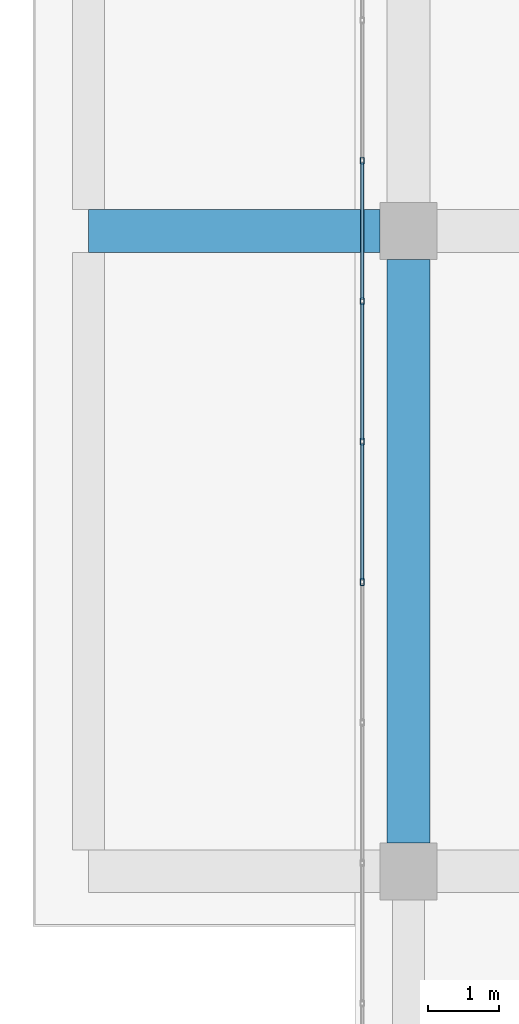
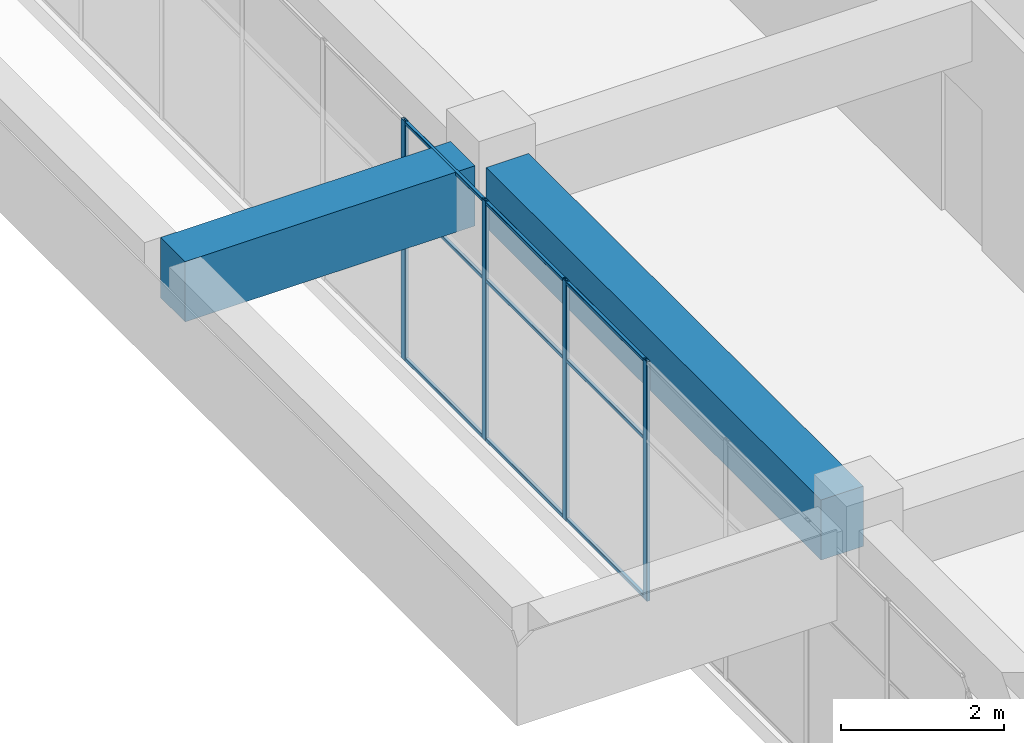
# One storey, part 18 of 52: 13 members, 2 beams, 1 element without a shape of its own.
"""IFC4 building model written with IfcOpenShell, lengths in metres."""

from ifc_helpers import new_model, si_unit, direction, frame, origin, origin_2d, place, context, subcontext, project, spatial, rectangle, hollow_rectangle, extrude, material, layer, layer_set, material_profile, profile_set, type_object, element, aggregate, save


model = new_model("IFC4")

# Units and contexts
model_context = context("Model", 3, precision=1e-05, world=origin(), true_north=direction((0.0, 1.0)))
body_context = subcontext(model_context, "Body", "Model", "MODEL_VIEW")
ifc_project = project(units=[si_unit("LENGTHUNIT", "METRE"), si_unit("AREAUNIT", "SQUARE_METRE"), si_unit("VOLUMEUNIT", "CUBIC_METRE"), si_unit("PLANEANGLEUNIT", "RADIAN"), si_unit("MASSUNIT", "GRAM", prefix="KILO")], contexts=[model_context])

# Site, building, storey
site_placement = place(None, origin())
site = spatial("IfcSite", under=ifc_project, at=site_placement, CompositionType="ELEMENT")
building_placement = place(site_placement, origin())
building = spatial("IfcBuilding", under=site, at=building_placement, Name="Tuart Plaza Theatre", CompositionType="ELEMENT")
storey_placement = place(building_placement, frame((0.0, 0.0, 25.5)))
storey = spatial("IfcBuildingStorey", under=building, at=storey_placement, Name="L06", CompositionType="ELEMENT", Elevation=25.5)

# Beams
ifc_material_1 = material(Name="Concrete N40 (40 MPa)", Category="concrete")
ifc_material_profile_1 = material_profile(ifc_material_1, rectangle(XDim=0.60009765625, YDim=0.89990234375, at=origin_2d()), Name="BEAM 600x900 Concrete N40 (40 MPa)")
ifc_profile_set_1 = profile_set([ifc_material_profile_1], Name="Concrete N40 (40 MPa)")
beam_type = type_object("IfcBeamType", Name="BEAM 600x900 Concrete N40 (40 MPa)", PredefinedType="BEAM", material=ifc_profile_set_1)
beam_1_placement = place(storey_placement, frame((109.5, 74.0, 3.1298828125), z_axis=(1.0, 0.0, 0.0), x_axis=(0.0, 1.0, 0.0)))
element("IfcBeam", 1, at=beam_1_placement, inside=storey, type_object=beam_type, Name="RB244", PredefinedType="BEAM", context=body_context, shape_type="SweptSolid", body=[
    extrude(rectangle(XDim=0.60009765625, YDim=0.89990234375, at=origin_2d()), origin(), (0.0, 0.0, 1.0), 4.10009765625),
])
beam_2_placement = place(storey_placement, frame((114.0, 65.39990234375, 3.1298828125), z_axis=(0.0, 1.0, 0.0), x_axis=(-1.0, 0.0, 0.0)))
element("IfcBeam", 2, at=beam_2_placement, inside=storey, type_object=beam_type, Name="RB209", PredefinedType="BEAM", context=body_context, shape_type="SweptSolid", body=[
    extrude(rectangle(XDim=0.60009765625, YDim=0.89990234375, at=origin_2d()), origin(), (0.0, 0.0, 1.0), 8.2001953125),
])

# Curtain wall, members
ifc_material_2 = material(Name="Aluminium and glass", Category="aluminium")
ifc_layer = layer(ifc_material_2, 0.10009765625)
ifc_layer_set = layer_set([ifc_layer], Name="CURTAIN WALL 2000 module")
curtain_wall_type = type_object("IfcCurtainWallType", Name="CURTAIN WALL 2000 module", PredefinedType="NOTDEFINED", material=ifc_layer_set)
curtain_wall_placement = place(storey_placement, origin())
curtain_wall = element("IfcCurtainWall", 3, at=curtain_wall_placement, inside=storey, type_object=curtain_wall_type, Name="CW86", PredefinedType="NOTDEFINED")
ifc_material_3 = material(Name="Aluminium 6063-T5", Category="aluminium")
ifc_material_profile_2 = material_profile(ifc_material_3, hollow_rectangle(XDim=0.050048828125, YDim=0.10009765625, WallThickness=0.00390625, InnerFilletRadius=0.00390625, OuterFilletRadius=0.008056640625, at=origin_2d()), Name="RHS 100x50x4")
ifc_profile_set_2 = profile_set([ifc_material_profile_2], Name="Aluminium 6063-T5")
member_type_1 = type_object("IfcMemberType", Name="MULLION RHS 100x50x4", PredefinedType="MULLION", material=ifc_profile_set_2)
member_1_placement = place(storey_placement, frame((113.35009765625, 74.98681640625, 0.0), z_axis=(0.0, 0.0, 1.0), x_axis=(1.0, 0.0, 0.0)))
member_1 = element("IfcMember", 4, at=member_1_placement, type_object=member_type_1, Name="CW86 mullion 10", PredefinedType="MULLION", context=body_context, shape_type="SweptSolid", body=[
    extrude(hollow_rectangle(XDim=0.050048828125, YDim=0.10009765625, WallThickness=0.00390625, InnerFilletRadius=0.00390625, OuterFilletRadius=0.008056640625, at=origin_2d()), origin(), (0.0, 0.0, 1.0), 3.580078125),
])
member_2_placement = place(storey_placement, frame((113.35009765625, 73.01318359375, 0.0), z_axis=(0.0, 0.0, 1.0), x_axis=(1.0, 0.0, 0.0)))
member_2 = element("IfcMember", 5, at=member_2_placement, type_object=member_type_1, Name="CW86 mullion 11", PredefinedType="MULLION", context=body_context, shape_type="SweptSolid", body=[
    extrude(hollow_rectangle(XDim=0.050048828125, YDim=0.10009765625, WallThickness=0.00390625, InnerFilletRadius=0.00390625, OuterFilletRadius=0.008056640625, at=origin_2d()), origin(), (0.0, 0.0, 1.0), 3.580078125),
])
member_3_placement = place(storey_placement, frame((113.35009765625, 71.03955078125, 0.0), z_axis=(0.0, 0.0, 1.0), x_axis=(1.0, 0.0, 0.0)))
member_3 = element("IfcMember", 6, at=member_3_placement, type_object=member_type_1, Name="CW86 mullion 12", PredefinedType="MULLION", context=body_context, shape_type="SweptSolid", body=[
    extrude(hollow_rectangle(XDim=0.050048828125, YDim=0.10009765625, WallThickness=0.00390625, InnerFilletRadius=0.00390625, OuterFilletRadius=0.008056640625, at=origin_2d()), origin(), (0.0, 0.0, 1.0), 3.580078125),
])
member_4_placement = place(storey_placement, frame((113.35009765625, 69.065673828125, 0.0), z_axis=(0.0, 0.0, 1.0), x_axis=(1.0, 0.0, 0.0)))
member_4 = element("IfcMember", 7, at=member_4_placement, type_object=member_type_1, Name="CW86 mullion 13", PredefinedType="MULLION", context=body_context, shape_type="SweptSolid", body=[
    extrude(hollow_rectangle(XDim=0.050048828125, YDim=0.10009765625, WallThickness=0.00390625, InnerFilletRadius=0.00390625, OuterFilletRadius=0.008056640625, at=origin_2d()), origin(), (0.0, 0.0, 1.0), 3.580078125),
])
ifc_material_4 = material(Name="Aluminium 6063-T5", Category="aluminium")
ifc_material_profile_3 = material_profile(ifc_material_4, hollow_rectangle(XDim=0.050048828125, YDim=0.050048828125, WallThickness=0.00390625, InnerFilletRadius=0.00390625, OuterFilletRadius=0.008056640625, at=origin_2d()), Name="RHS 50x50x4")
ifc_profile_set_3 = profile_set([ifc_material_profile_3], Name="Aluminium 6063-T5")
member_type_2 = type_object("IfcMemberType", Name="TRANSOM RHS 50x50x4", PredefinedType="USERDEFINED", material=ifc_profile_set_3)
member_5_placement = place(storey_placement, frame((113.35009765625, 74.9619140625, 0.02490234375), z_axis=(0.0, -1.0, 0.0), x_axis=(1.0, 0.0, 0.0)))
member_5 = element("IfcMember", 8, at=member_5_placement, type_object=member_type_2, Name="CW86 transom 10.1", ObjectType="TRANSOM", PredefinedType="USERDEFINED", context=body_context, shape_type="SweptSolid", body=[
    extrude(hollow_rectangle(XDim=0.050048828125, YDim=0.050048828125, WallThickness=0.00390625, InnerFilletRadius=0.00390625, OuterFilletRadius=0.008056640625, at=origin_2d()), origin(), (0.0, 0.0, 1.0), 1.923828125),
])
member_6_placement = place(storey_placement, frame((113.35009765625, 74.9619140625, 2.39990234375), z_axis=(0.0, -1.0, 0.0), x_axis=(1.0, 0.0, 0.0)))
member_6 = element("IfcMember", 9, at=member_6_placement, type_object=member_type_2, Name="CW86 transom 10.2", ObjectType="TRANSOM", PredefinedType="USERDEFINED", context=body_context, shape_type="SweptSolid", body=[
    extrude(hollow_rectangle(XDim=0.050048828125, YDim=0.050048828125, WallThickness=0.00390625, InnerFilletRadius=0.00390625, OuterFilletRadius=0.008056640625, at=origin_2d()), origin(), (0.0, 0.0, 1.0), 1.923828125),
])
member_7_placement = place(storey_placement, frame((113.35009765625, 74.9619140625, 3.554931640625), z_axis=(0.0, -1.0, 0.0), x_axis=(1.0, 0.0, 0.0)))
member_7 = element("IfcMember", 10, at=member_7_placement, type_object=member_type_2, Name="CW86 transom 10.3", ObjectType="TRANSOM", PredefinedType="USERDEFINED", context=body_context, shape_type="SweptSolid", body=[
    extrude(hollow_rectangle(XDim=0.050048828125, YDim=0.050048828125, WallThickness=0.00390625, InnerFilletRadius=0.00390625, OuterFilletRadius=0.008056640625, at=origin_2d()), origin(), (0.0, 0.0, 1.0), 1.923828125),
])
member_8_placement = place(storey_placement, frame((113.35009765625, 72.988037109375, 0.02490234375), z_axis=(0.0, -1.0, 0.0), x_axis=(1.0, 0.0, 0.0)))
member_8 = element("IfcMember", 11, at=member_8_placement, type_object=member_type_2, Name="CW86 transom 11.1", ObjectType="TRANSOM", PredefinedType="USERDEFINED", context=body_context, shape_type="SweptSolid", body=[
    extrude(hollow_rectangle(XDim=0.050048828125, YDim=0.050048828125, WallThickness=0.00390625, InnerFilletRadius=0.00390625, OuterFilletRadius=0.008056640625, at=origin_2d()), origin(), (0.0, 0.0, 1.0), 1.923583984375),
])
member_9_placement = place(storey_placement, frame((113.35009765625, 72.988037109375, 2.39990234375), z_axis=(0.0, -1.0, 0.0), x_axis=(1.0, 0.0, 0.0)))
member_9 = element("IfcMember", 12, at=member_9_placement, type_object=member_type_2, Name="CW86 transom 11.2", ObjectType="TRANSOM", PredefinedType="USERDEFINED", context=body_context, shape_type="SweptSolid", body=[
    extrude(hollow_rectangle(XDim=0.050048828125, YDim=0.050048828125, WallThickness=0.00390625, InnerFilletRadius=0.00390625, OuterFilletRadius=0.008056640625, at=origin_2d()), origin(), (0.0, 0.0, 1.0), 1.923583984375),
])
member_10_placement = place(storey_placement, frame((113.35009765625, 72.988037109375, 3.554931640625), z_axis=(0.0, -1.0, 0.0), x_axis=(1.0, 0.0, 0.0)))
member_10 = element("IfcMember", 13, at=member_10_placement, type_object=member_type_2, Name="CW86 transom 11.3", ObjectType="TRANSOM", PredefinedType="USERDEFINED", context=body_context, shape_type="SweptSolid", body=[
    extrude(hollow_rectangle(XDim=0.050048828125, YDim=0.050048828125, WallThickness=0.00390625, InnerFilletRadius=0.00390625, OuterFilletRadius=0.008056640625, at=origin_2d()), origin(), (0.0, 0.0, 1.0), 1.923583984375),
])
member_11_placement = place(storey_placement, frame((113.35009765625, 71.014404296875, 0.02490234375), z_axis=(0.0, -1.0, 0.0), x_axis=(1.0, 0.0, 0.0)))
member_11 = element("IfcMember", 14, at=member_11_placement, type_object=member_type_2, Name="CW86 transom 12.1", ObjectType="TRANSOM", PredefinedType="USERDEFINED", context=body_context, shape_type="SweptSolid", body=[
    extrude(hollow_rectangle(XDim=0.050048828125, YDim=0.050048828125, WallThickness=0.00390625, InnerFilletRadius=0.00390625, OuterFilletRadius=0.008056640625, at=origin_2d()), origin(), (0.0, 0.0, 1.0), 1.923583984375),
])
member_12_placement = place(storey_placement, frame((113.35009765625, 71.014404296875, 2.39990234375), z_axis=(0.0, -1.0, 0.0), x_axis=(1.0, 0.0, 0.0)))
member_12 = element("IfcMember", 15, at=member_12_placement, type_object=member_type_2, Name="CW86 transom 12.2", ObjectType="TRANSOM", PredefinedType="USERDEFINED", context=body_context, shape_type="SweptSolid", body=[
    extrude(hollow_rectangle(XDim=0.050048828125, YDim=0.050048828125, WallThickness=0.00390625, InnerFilletRadius=0.00390625, OuterFilletRadius=0.008056640625, at=origin_2d()), origin(), (0.0, 0.0, 1.0), 1.923583984375),
])
member_13_placement = place(storey_placement, frame((113.35009765625, 71.014404296875, 3.554931640625), z_axis=(0.0, -1.0, 0.0), x_axis=(1.0, 0.0, 0.0)))
member_13 = element("IfcMember", 16, at=member_13_placement, type_object=member_type_2, Name="CW86 transom 12.3", ObjectType="TRANSOM", PredefinedType="USERDEFINED", context=body_context, shape_type="SweptSolid", body=[
    extrude(hollow_rectangle(XDim=0.050048828125, YDim=0.050048828125, WallThickness=0.00390625, InnerFilletRadius=0.00390625, OuterFilletRadius=0.008056640625, at=origin_2d()), origin(), (0.0, 0.0, 1.0), 1.923583984375),
])
aggregate(curtain_wall, [member_1, member_2, member_3, member_4, member_5, member_6, member_7, member_8, member_9, member_10, member_11, member_12, member_13])

save(model, "model.ifc")
